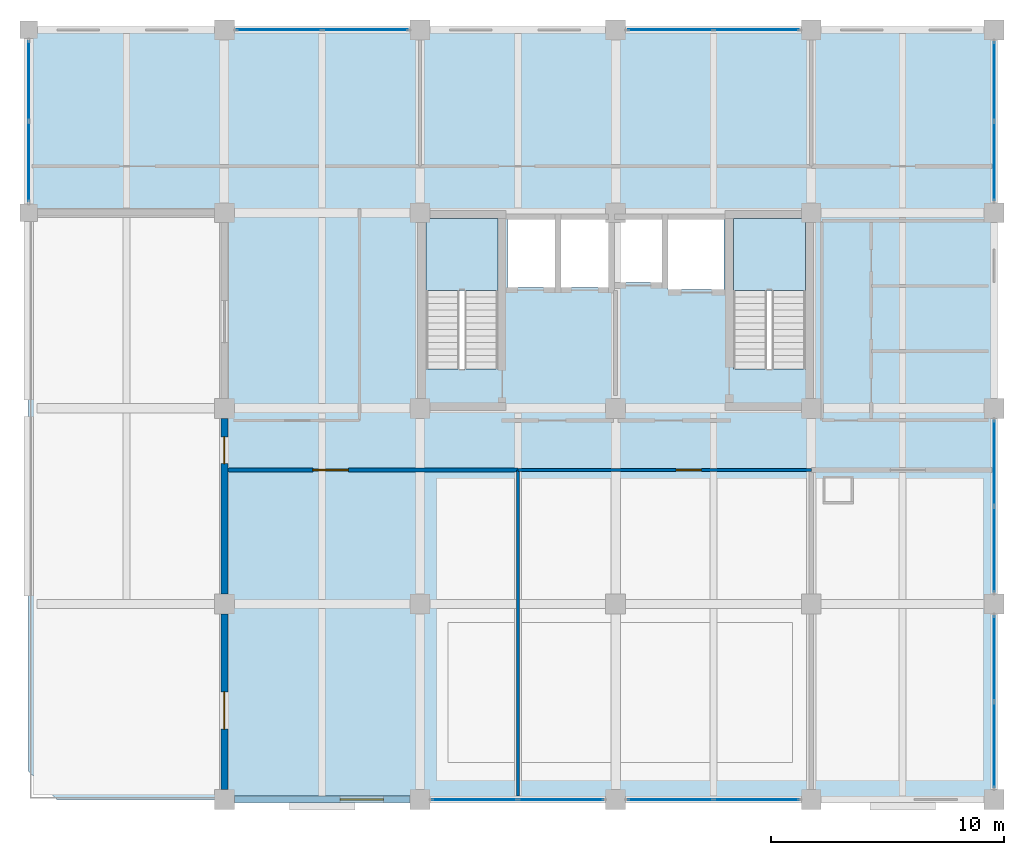
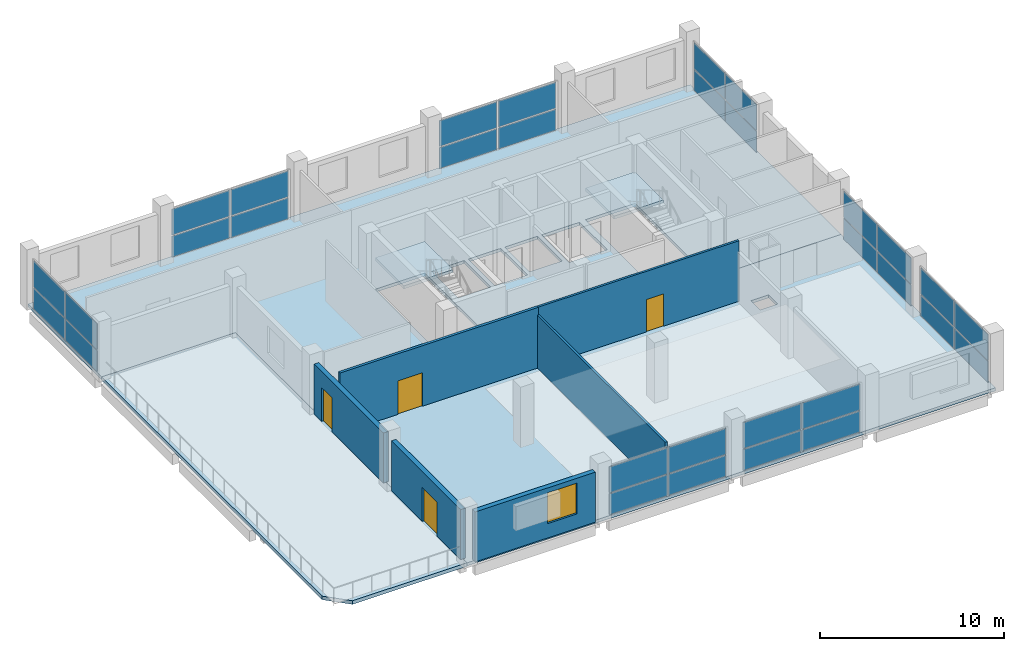
# One storey, part 6 of 10: 32 plates, 6 walls, 5 slabs, 4 doors, 1 window, 5 openings, 10 elements without a shape of their own.
"""IFC4 building model written with IfcOpenShell, lengths in metres."""

from ifc_helpers import new_model, si_unit, direction, frame, frame_2d, origin, origin_2d, place, context, subcontext, project, spatial, polyline, rectangle, outline, extrude, material, layer, layer_set, type_object, element, fill, aggregate, save


model = new_model("IFC4")

# Units and contexts
model_context = context("Model", 3, precision=1e-05, world=origin(), true_north=direction((0.0, 1.0)))
body_context = subcontext(model_context, "Body", "Model", "MODEL_VIEW")
ifc_project = project(units=[si_unit("LENGTHUNIT", "METRE"), si_unit("AREAUNIT", "SQUARE_METRE"), si_unit("VOLUMEUNIT", "CUBIC_METRE"), si_unit("PLANEANGLEUNIT", "RADIAN"), si_unit("MASSUNIT", "GRAM", prefix="KILO")], contexts=[model_context])

# Site, building, storey
site_placement = place(None, origin())
site = spatial("IfcSite", under=ifc_project, at=site_placement, CompositionType="ELEMENT")
building_placement = place(site_placement, origin())
building = spatial("IfcBuilding", under=site, at=building_placement, Name="Brinegate Botanical Conservatory", CompositionType="ELEMENT")
storey_placement = place(building_placement, frame((0.0, 0.0, 27.60009765625)))
storey = spatial("IfcBuildingStorey", under=building, at=storey_placement, Name="L07", CompositionType="ELEMENT", Elevation=27.60009765625)

# Curtain wall, plates
ifc_material_1 = material(Name="Thermally broken anodised aluminium AW-6063-T6", Category="aluminium")
curtain_wall_type = type_object("IfcCurtainWallType", Name="CW_CW-TW1", PredefinedType="USERDEFINED", material=ifc_material_1)
curtain_wall_1_placement = place(storey_placement, origin())
curtain_wall_1 = element("IfcCurtainWall", 1, at=curtain_wall_1_placement, inside=storey, type_object=curtain_wall_type, Name="Research lab north curtain wall L07.2", ObjectType="FACTORY CURTAIN WALL", PredefinedType="USERDEFINED")
ifc_material_2 = material(Name="Double-silver Low-E laminated safety glass", Category="glass")
ifc_layer_1 = layer(ifc_material_2, 0.035888671875, Name="Double-silver Low-E laminated safety glass", Category="glass")
ifc_layer_set_1 = layer_set([ifc_layer_1], Name="Double-silver Low-E laminated safety glass")
plate_type = type_object("IfcPlateType", Name="Plate_PN-36", PredefinedType="CURTAIN_PANEL", material=ifc_layer_set_1)
plate_1_placement = place(storey_placement, frame((132.75, 111.449951171875, 0.06982421875), z_axis=(0.0, 0.0, 1.0), x_axis=(1.0, 0.0, 0.0)))
plate_1 = element("IfcPlate", 2, at=plate_1_placement, type_object=plate_type, Name="CW-TW1 panel 1.1", PredefinedType="CURTAIN_PANEL", context=body_context, shape_type="SweptSolid", body=[
    extrude(rectangle(XDim=3.6298828125, YDim=0.035888671875, at=origin_2d()), origin(), (0.0, 0.0, 1.0), 1.388916015625),
])
plate_2_placement = place(storey_placement, frame((132.75, 111.449951171875, 1.52880859375), z_axis=(0.0, 0.0, 1.0), x_axis=(1.0, 0.0, 0.0)))
plate_2 = element("IfcPlate", 3, at=plate_2_placement, type_object=plate_type, Name="CW-TW1 panel 1.2", PredefinedType="CURTAIN_PANEL", context=body_context, shape_type="SweptSolid", body=[
    extrude(rectangle(XDim=3.6298828125, YDim=0.035888671875, at=origin_2d()), origin(), (0.0, 0.0, 1.0), 1.720947265625),
])
plate_3_placement = place(storey_placement, frame((136.449951171875, 111.449951171875, 0.06982421875), z_axis=(0.0, 0.0, 1.0), x_axis=(1.0, 0.0, 0.0)))
plate_3 = element("IfcPlate", 4, at=plate_3_placement, type_object=plate_type, Name="CW-TW1 panel 2.1", PredefinedType="CURTAIN_PANEL", context=body_context, shape_type="SweptSolid", body=[
    extrude(rectangle(XDim=3.6298828125, YDim=0.035888671875, at=origin_2d()), origin(), (0.0, 0.0, 1.0), 1.388916015625),
])
plate_4_placement = place(storey_placement, frame((136.449951171875, 111.449951171875, 1.52880859375), z_axis=(0.0, 0.0, 1.0), x_axis=(1.0, 0.0, 0.0)))
plate_4 = element("IfcPlate", 5, at=plate_4_placement, type_object=plate_type, Name="CW-TW1 panel 2.2", PredefinedType="CURTAIN_PANEL", context=body_context, shape_type="SweptSolid", body=[
    extrude(rectangle(XDim=3.6298828125, YDim=0.035888671875, at=origin_2d()), origin(), (0.0, 0.0, 1.0), 1.720947265625),
])
aggregate(curtain_wall_1, [plate_1, plate_2, plate_3, plate_4])

curtain_wall_2_placement = place(storey_placement, origin())
curtain_wall_2 = element("IfcCurtainWall", 6, at=curtain_wall_2_placement, inside=storey, type_object=curtain_wall_type, Name="Research lab north curtain wall L07.4", ObjectType="FACTORY CURTAIN WALL", PredefinedType="USERDEFINED")
plate_5_placement = place(storey_placement, frame((149.550048828125, 111.449951171875, 0.06982421875), z_axis=(0.0, 0.0, 1.0), x_axis=(1.0, 0.0, 0.0)))
plate_5 = element("IfcPlate", 7, at=plate_5_placement, type_object=plate_type, Name="CW-TW1 panel 1.1", PredefinedType="CURTAIN_PANEL", context=body_context, shape_type="SweptSolid", body=[
    extrude(rectangle(XDim=3.6298828125, YDim=0.035888671875, at=origin_2d()), origin(), (0.0, 0.0, 1.0), 1.388916015625),
])
plate_6_placement = place(storey_placement, frame((149.550048828125, 111.449951171875, 1.52880859375), z_axis=(0.0, 0.0, 1.0), x_axis=(1.0, 0.0, 0.0)))
plate_6 = element("IfcPlate", 8, at=plate_6_placement, type_object=plate_type, Name="CW-TW1 panel 1.2", PredefinedType="CURTAIN_PANEL", context=body_context, shape_type="SweptSolid", body=[
    extrude(rectangle(XDim=3.6298828125, YDim=0.035888671875, at=origin_2d()), origin(), (0.0, 0.0, 1.0), 1.720947265625),
])
plate_7_placement = place(storey_placement, frame((153.25, 111.449951171875, 0.06982421875), z_axis=(0.0, 0.0, 1.0), x_axis=(1.0, 0.0, 0.0)))
plate_7 = element("IfcPlate", 9, at=plate_7_placement, type_object=plate_type, Name="CW-TW1 panel 2.1", PredefinedType="CURTAIN_PANEL", context=body_context, shape_type="SweptSolid", body=[
    extrude(rectangle(XDim=3.6298828125, YDim=0.035888671875, at=origin_2d()), origin(), (0.0, 0.0, 1.0), 1.388916015625),
])
plate_8_placement = place(storey_placement, frame((153.25, 111.449951171875, 1.52880859375), z_axis=(0.0, 0.0, 1.0), x_axis=(1.0, 0.0, 0.0)))
plate_8 = element("IfcPlate", 10, at=plate_8_placement, type_object=plate_type, Name="CW-TW1 panel 2.2", PredefinedType="CURTAIN_PANEL", context=body_context, shape_type="SweptSolid", body=[
    extrude(rectangle(XDim=3.6298828125, YDim=0.035888671875, at=origin_2d()), origin(), (0.0, 0.0, 1.0), 1.720947265625),
])
aggregate(curtain_wall_2, [plate_5, plate_6, plate_7, plate_8])

curtain_wall_3_placement = place(storey_placement, origin())
curtain_wall_3 = element("IfcCurtainWall", 11, at=curtain_wall_3_placement, inside=storey, type_object=curtain_wall_type, Name="Tower south curtain wall L07.2", ObjectType="FACTORY CURTAIN WALL", PredefinedType="USERDEFINED")
plate_9_placement = place(storey_placement, frame((144.85009765625, 78.39990234375, 0.06982421875), z_axis=(0.0, 0.0, 1.0), x_axis=(-1.0, 0.0, 0.0)))
plate_9 = element("IfcPlate", 12, at=plate_9_placement, type_object=plate_type, Name="CW-TW1 panel 1.1", PredefinedType="CURTAIN_PANEL", context=body_context, shape_type="SweptSolid", body=[
    extrude(rectangle(XDim=3.6298828125, YDim=0.035888671875, at=origin_2d()), origin(), (0.0, 0.0, 1.0), 1.388916015625),
])
plate_10_placement = place(storey_placement, frame((144.85009765625, 78.39990234375, 1.52880859375), z_axis=(0.0, 0.0, 1.0), x_axis=(-1.0, 0.0, 0.0)))
plate_10 = element("IfcPlate", 13, at=plate_10_placement, type_object=plate_type, Name="CW-TW1 panel 1.2", PredefinedType="CURTAIN_PANEL", context=body_context, shape_type="SweptSolid", body=[
    extrude(rectangle(XDim=3.6298828125, YDim=0.035888671875, at=origin_2d()), origin(), (0.0, 0.0, 1.0), 1.720947265625),
])
plate_11_placement = place(storey_placement, frame((141.14990234375, 78.39990234375, 0.06982421875), z_axis=(0.0, 0.0, 1.0), x_axis=(-1.0, 0.0, 0.0)))
plate_11 = element("IfcPlate", 14, at=plate_11_placement, type_object=plate_type, Name="CW-TW1 panel 2.1", PredefinedType="CURTAIN_PANEL", context=body_context, shape_type="SweptSolid", body=[
    extrude(rectangle(XDim=3.6298828125, YDim=0.035888671875, at=origin_2d()), origin(), (0.0, 0.0, 1.0), 1.388916015625),
])
plate_12_placement = place(storey_placement, frame((141.14990234375, 78.39990234375, 1.52880859375), z_axis=(0.0, 0.0, 1.0), x_axis=(-1.0, 0.0, 0.0)))
plate_12 = element("IfcPlate", 15, at=plate_12_placement, type_object=plate_type, Name="CW-TW1 panel 2.2", PredefinedType="CURTAIN_PANEL", context=body_context, shape_type="SweptSolid", body=[
    extrude(rectangle(XDim=3.6298828125, YDim=0.035888671875, at=origin_2d()), origin(), (0.0, 0.0, 1.0), 1.720947265625),
])
aggregate(curtain_wall_3, [plate_9, plate_10, plate_11, plate_12])

curtain_wall_4_placement = place(storey_placement, origin())
curtain_wall_4 = element("IfcCurtainWall", 16, at=curtain_wall_4_placement, inside=storey, type_object=curtain_wall_type, Name="Tower south curtain wall L07.3", ObjectType="FACTORY CURTAIN WALL", PredefinedType="USERDEFINED")
plate_13_placement = place(storey_placement, frame((153.25, 78.39990234375, 0.06982421875), z_axis=(0.0, 0.0, 1.0), x_axis=(-1.0, 0.0, 0.0)))
plate_13 = element("IfcPlate", 17, at=plate_13_placement, type_object=plate_type, Name="CW-TW1 panel 1.1", PredefinedType="CURTAIN_PANEL", context=body_context, shape_type="SweptSolid", body=[
    extrude(rectangle(XDim=3.6298828125, YDim=0.035888671875, at=origin_2d()), origin(), (0.0, 0.0, 1.0), 1.388916015625),
])
plate_14_placement = place(storey_placement, frame((153.25, 78.39990234375, 1.52880859375), z_axis=(0.0, 0.0, 1.0), x_axis=(-1.0, 0.0, 0.0)))
plate_14 = element("IfcPlate", 18, at=plate_14_placement, type_object=plate_type, Name="CW-TW1 panel 1.2", PredefinedType="CURTAIN_PANEL", context=body_context, shape_type="SweptSolid", body=[
    extrude(rectangle(XDim=3.6298828125, YDim=0.035888671875, at=origin_2d()), origin(), (0.0, 0.0, 1.0), 1.720947265625),
])
plate_15_placement = place(storey_placement, frame((149.550048828125, 78.39990234375, 0.06982421875), z_axis=(0.0, 0.0, 1.0), x_axis=(-1.0, 0.0, 0.0)))
plate_15 = element("IfcPlate", 19, at=plate_15_placement, type_object=plate_type, Name="CW-TW1 panel 2.1", PredefinedType="CURTAIN_PANEL", context=body_context, shape_type="SweptSolid", body=[
    extrude(rectangle(XDim=3.6298828125, YDim=0.035888671875, at=origin_2d()), origin(), (0.0, 0.0, 1.0), 1.388916015625),
])
plate_16_placement = place(storey_placement, frame((149.550048828125, 78.39990234375, 1.52880859375), z_axis=(0.0, 0.0, 1.0), x_axis=(-1.0, 0.0, 0.0)))
plate_16 = element("IfcPlate", 20, at=plate_16_placement, type_object=plate_type, Name="CW-TW1 panel 2.2", PredefinedType="CURTAIN_PANEL", context=body_context, shape_type="SweptSolid", body=[
    extrude(rectangle(XDim=3.6298828125, YDim=0.035888671875, at=origin_2d()), origin(), (0.0, 0.0, 1.0), 1.720947265625),
])
aggregate(curtain_wall_4, [plate_13, plate_14, plate_15, plate_16])

curtain_wall_5_placement = place(storey_placement, origin())
curtain_wall_5 = element("IfcCurtainWall", 21, at=curtain_wall_5_placement, inside=storey, type_object=curtain_wall_type, Name="Tower east curtain wall L07.1", ObjectType="FACTORY CURTAIN WALL", PredefinedType="USERDEFINED")
plate_17_placement = place(storey_placement, frame((163.449951171875, 84.449951171875, 0.06982421875), z_axis=(0.0, 0.0, 1.0), x_axis=(0.0, -1.0, 0.0)))
plate_17 = element("IfcPlate", 22, at=plate_17_placement, type_object=plate_type, Name="CW-TW1 panel 1.1", PredefinedType="CURTAIN_PANEL", context=body_context, shape_type="SweptSolid", body=[
    extrude(rectangle(XDim=3.6298828125, YDim=0.035888671875, at=origin_2d()), origin(), (0.0, 0.0, 1.0), 1.388916015625),
])
plate_18_placement = place(storey_placement, frame((163.449951171875, 84.449951171875, 1.52880859375), z_axis=(0.0, 0.0, 1.0), x_axis=(0.0, -1.0, 0.0)))
plate_18 = element("IfcPlate", 23, at=plate_18_placement, type_object=plate_type, Name="CW-TW1 panel 1.2", PredefinedType="CURTAIN_PANEL", context=body_context, shape_type="SweptSolid", body=[
    extrude(rectangle(XDim=3.6298828125, YDim=0.035888671875, at=origin_2d()), origin(), (0.0, 0.0, 1.0), 1.720947265625),
])
plate_19_placement = place(storey_placement, frame((163.449951171875, 80.75, 0.06982421875), z_axis=(0.0, 0.0, 1.0), x_axis=(0.0, -1.0, 0.0)))
plate_19 = element("IfcPlate", 24, at=plate_19_placement, type_object=plate_type, Name="CW-TW1 panel 2.1", PredefinedType="CURTAIN_PANEL", context=body_context, shape_type="SweptSolid", body=[
    extrude(rectangle(XDim=3.6298828125, YDim=0.035888671875, at=origin_2d()), origin(), (0.0, 0.0, 1.0), 1.388916015625),
])
plate_20_placement = place(storey_placement, frame((163.449951171875, 80.75, 1.52880859375), z_axis=(0.0, 0.0, 1.0), x_axis=(0.0, -1.0, 0.0)))
plate_20 = element("IfcPlate", 25, at=plate_20_placement, type_object=plate_type, Name="CW-TW1 panel 2.2", PredefinedType="CURTAIN_PANEL", context=body_context, shape_type="SweptSolid", body=[
    extrude(rectangle(XDim=3.6298828125, YDim=0.035888671875, at=origin_2d()), origin(), (0.0, 0.0, 1.0), 1.720947265625),
])
aggregate(curtain_wall_5, [plate_17, plate_18, plate_19, plate_20])

curtain_wall_6_placement = place(storey_placement, origin())
curtain_wall_6 = element("IfcCurtainWall", 26, at=curtain_wall_6_placement, inside=storey, type_object=curtain_wall_type, Name="Tower east curtain wall L07.2", ObjectType="FACTORY CURTAIN WALL", PredefinedType="USERDEFINED")
plate_21_placement = place(storey_placement, frame((163.449951171875, 92.85009765625, 0.06982421875), z_axis=(0.0, 0.0, 1.0), x_axis=(0.0, -1.0, 0.0)))
plate_21 = element("IfcPlate", 27, at=plate_21_placement, type_object=plate_type, Name="CW-TW1 panel 1.1", PredefinedType="CURTAIN_PANEL", context=body_context, shape_type="SweptSolid", body=[
    extrude(rectangle(XDim=3.6298828125, YDim=0.035888671875, at=origin_2d()), origin(), (0.0, 0.0, 1.0), 1.388916015625),
])
plate_22_placement = place(storey_placement, frame((163.449951171875, 92.85009765625, 1.52880859375), z_axis=(0.0, 0.0, 1.0), x_axis=(0.0, -1.0, 0.0)))
plate_22 = element("IfcPlate", 28, at=plate_22_placement, type_object=plate_type, Name="CW-TW1 panel 1.2", PredefinedType="CURTAIN_PANEL", context=body_context, shape_type="SweptSolid", body=[
    extrude(rectangle(XDim=3.6298828125, YDim=0.035888671875, at=origin_2d()), origin(), (0.0, 0.0, 1.0), 1.720947265625),
])
plate_23_placement = place(storey_placement, frame((163.449951171875, 89.14990234375, 0.06982421875), z_axis=(0.0, 0.0, 1.0), x_axis=(0.0, -1.0, 0.0)))
plate_23 = element("IfcPlate", 29, at=plate_23_placement, type_object=plate_type, Name="CW-TW1 panel 2.1", PredefinedType="CURTAIN_PANEL", context=body_context, shape_type="SweptSolid", body=[
    extrude(rectangle(XDim=3.6298828125, YDim=0.035888671875, at=origin_2d()), origin(), (0.0, 0.0, 1.0), 1.388916015625),
])
plate_24_placement = place(storey_placement, frame((163.449951171875, 89.14990234375, 1.52880859375), z_axis=(0.0, 0.0, 1.0), x_axis=(0.0, -1.0, 0.0)))
plate_24 = element("IfcPlate", 30, at=plate_24_placement, type_object=plate_type, Name="CW-TW1 panel 2.2", PredefinedType="CURTAIN_PANEL", context=body_context, shape_type="SweptSolid", body=[
    extrude(rectangle(XDim=3.6298828125, YDim=0.035888671875, at=origin_2d()), origin(), (0.0, 0.0, 1.0), 1.720947265625),
])
aggregate(curtain_wall_6, [plate_21, plate_22, plate_23, plate_24])

curtain_wall_7_placement = place(storey_placement, origin())
curtain_wall_7 = element("IfcCurtainWall", 31, at=curtain_wall_7_placement, inside=storey, type_object=curtain_wall_type, Name="Tower east curtain wall L07.4", ObjectType="FACTORY CURTAIN WALL", PredefinedType="USERDEFINED")
plate_25_placement = place(storey_placement, frame((163.449951171875, 109.237548828125, 0.06982421875), z_axis=(0.0, 0.0, 1.0), x_axis=(0.0, -1.0, 0.0)))
plate_25 = element("IfcPlate", 32, at=plate_25_placement, type_object=plate_type, Name="CW-TW1 panel 1.1", PredefinedType="CURTAIN_PANEL", context=body_context, shape_type="SweptSolid", body=[
    extrude(rectangle(XDim=3.35498046875, YDim=0.035888671875, at=origin_2d()), origin(), (0.0, 0.0, 1.0), 1.388916015625),
])
plate_26_placement = place(storey_placement, frame((163.449951171875, 109.237548828125, 1.52880859375), z_axis=(0.0, 0.0, 1.0), x_axis=(0.0, -1.0, 0.0)))
plate_26 = element("IfcPlate", 33, at=plate_26_placement, type_object=plate_type, Name="CW-TW1 panel 1.2", PredefinedType="CURTAIN_PANEL", context=body_context, shape_type="SweptSolid", body=[
    extrude(rectangle(XDim=3.35498046875, YDim=0.035888671875, at=origin_2d()), origin(), (0.0, 0.0, 1.0), 1.720947265625),
])
plate_27_placement = place(storey_placement, frame((163.449951171875, 105.8125, 0.06982421875), z_axis=(0.0, 0.0, 1.0), x_axis=(0.0, -1.0, 0.0)))
plate_27 = element("IfcPlate", 34, at=plate_27_placement, type_object=plate_type, Name="CW-TW1 panel 2.1", PredefinedType="CURTAIN_PANEL", context=body_context, shape_type="SweptSolid", body=[
    extrude(rectangle(XDim=3.35498046875, YDim=0.035888671875, at=origin_2d()), origin(), (0.0, 0.0, 1.0), 1.388916015625),
])
plate_28_placement = place(storey_placement, frame((163.449951171875, 105.8125, 1.52880859375), z_axis=(0.0, 0.0, 1.0), x_axis=(0.0, -1.0, 0.0)))
plate_28 = element("IfcPlate", 35, at=plate_28_placement, type_object=plate_type, Name="CW-TW1 panel 2.2", PredefinedType="CURTAIN_PANEL", context=body_context, shape_type="SweptSolid", body=[
    extrude(rectangle(XDim=3.35498046875, YDim=0.035888671875, at=origin_2d()), origin(), (0.0, 0.0, 1.0), 1.720947265625),
])
aggregate(curtain_wall_7, [plate_25, plate_26, plate_27, plate_28])

curtain_wall_8_placement = place(storey_placement, origin())
curtain_wall_8 = element("IfcCurtainWall", 36, at=curtain_wall_8_placement, inside=storey, type_object=curtain_wall_type, Name="Tower north-west curtain wall L07", ObjectType="FACTORY CURTAIN WALL", PredefinedType="USERDEFINED")
plate_29_placement = place(storey_placement, frame((122.0, 105.78759765625, 0.06982421875), z_axis=(0.0, 0.0, 1.0), x_axis=(0.0, 1.0, 0.0)))
plate_29 = element("IfcPlate", 37, at=plate_29_placement, type_object=plate_type, Name="CW-TW1 panel 1.1", PredefinedType="CURTAIN_PANEL", context=body_context, shape_type="SweptSolid", body=[
    extrude(rectangle(XDim=3.405029296875, YDim=0.035888671875, at=origin_2d()), origin(), (0.0, 0.0, 1.0), 1.388916015625),
])
plate_30_placement = place(storey_placement, frame((122.0, 105.78759765625, 1.52880859375), z_axis=(0.0, 0.0, 1.0), x_axis=(0.0, 1.0, 0.0)))
plate_30 = element("IfcPlate", 38, at=plate_30_placement, type_object=plate_type, Name="CW-TW1 panel 1.2", PredefinedType="CURTAIN_PANEL", context=body_context, shape_type="SweptSolid", body=[
    extrude(rectangle(XDim=3.405029296875, YDim=0.035888671875, at=origin_2d()), origin(), (0.0, 0.0, 1.0), 1.720947265625),
])
plate_31_placement = place(storey_placement, frame((122.0, 109.262451171875, 0.06982421875), z_axis=(0.0, 0.0, 1.0), x_axis=(0.0, 1.0, 0.0)))
plate_31 = element("IfcPlate", 39, at=plate_31_placement, type_object=plate_type, Name="CW-TW1 panel 2.1", PredefinedType="CURTAIN_PANEL", context=body_context, shape_type="SweptSolid", body=[
    extrude(rectangle(XDim=3.405029296875, YDim=0.035888671875, at=origin_2d()), origin(), (0.0, 0.0, 1.0), 1.388916015625),
])
plate_32_placement = place(storey_placement, frame((122.0, 109.262451171875, 1.52880859375), z_axis=(0.0, 0.0, 1.0), x_axis=(0.0, 1.0, 0.0)))
plate_32 = element("IfcPlate", 40, at=plate_32_placement, type_object=plate_type, Name="CW-TW1 panel 2.2", PredefinedType="CURTAIN_PANEL", context=body_context, shape_type="SweptSolid", body=[
    extrude(rectangle(XDim=3.405029296875, YDim=0.035888671875, at=origin_2d()), origin(), (0.0, 0.0, 1.0), 1.720947265625),
])
aggregate(curtain_wall_8, [plate_29, plate_30, plate_31, plate_32])

# Slabs
ifc_material_3 = material(Name="Concrete C40/50", Category="concrete")
ifc_layer_2 = layer(ifc_material_3, 0.199951171875, Name="Concrete C40/50", Category="concrete")
ifc_layer_set_2 = layer_set([ifc_layer_2], Name="Concrete C40/50")
slab_type_1 = type_object("IfcSlabType", Name="Slab_SL-FL200", PredefinedType="FLOOR", material=ifc_layer_set_2)
slab_1_placement = place(storey_placement, frame((0.0, 0.0, -0.2001953125)))
element("IfcSlab", 41, at=slab_1_placement, inside=storey, type_object=slab_type_1, Name="Research Tower L07 north structural floor slab", PredefinedType="FLOOR", context=body_context, shape_type="SweptSolid", body=[
    extrude(outline(polyline([(130.39990234375, 103.60009765625), (122.0, 103.60009765625), (122.0, 111.60009765625), (163.60009765625, 111.60009765625), (163.60009765625, 95.199951171875), (130.39990234375, 95.199951171875), (130.39990234375, 103.60009765625)]), holes=[polyline([(142.14990234375, 96.89990234375), (142.14990234375, 103.35009765625), (139.050048828125, 103.35009765625), (139.050048828125, 96.89990234375), (142.14990234375, 96.89990234375)]), polyline([(155.35009765625, 96.89990234375), (155.35009765625, 103.35009765625), (152.25, 103.35009765625), (152.25, 96.89990234375), (155.35009765625, 96.89990234375)]), polyline([(142.550048828125, 100.39990234375), (144.60009765625, 100.39990234375), (144.60009765625, 103.300048828125), (142.550048828125, 103.300048828125), (142.550048828125, 100.39990234375)]), polyline([(144.85009765625, 100.39990234375), (146.89990234375, 100.39990234375), (146.89990234375, 103.300048828125), (144.85009765625, 103.300048828125), (144.85009765625, 100.39990234375)]), polyline([(147.14990234375, 100.60009765625), (149.199951171875, 100.60009765625), (149.199951171875, 103.300048828125), (147.14990234375, 103.300048828125), (147.14990234375, 100.60009765625)]), polyline([(149.449951171875, 100.300048828125), (151.85009765625, 100.300048828125), (151.85009765625, 103.300048828125), (149.449951171875, 103.300048828125), (149.449951171875, 100.300048828125)])]), origin(), (0.0, 0.0, 1.0), 0.2001953125),
])
slab_2_placement = place(storey_placement, frame((0.0, 0.0, -0.2001953125)))
element("IfcSlab", 42, at=slab_2_placement, inside=storey, type_object=slab_type_1, Name="Research Tower L07 south structural floor slab", PredefinedType="FLOOR", context=body_context, shape_type="SweptSolid", body=[
    extrude(outline(polyline([(163.60009765625, 78.39990234375), (130.39990234375, 78.39990234375), (130.39990234375, 95.199951171875), (163.60009765625, 95.199951171875), (163.60009765625, 78.39990234375)]), holes=[polyline([(156.199951171875, 91.199951171875), (157.300048828125, 91.199951171875), (157.300048828125, 92.199951171875), (156.199951171875, 92.199951171875), (156.199951171875, 91.199951171875)])]), origin(), (0.0, 0.0, 1.0), 0.2001953125),
])

# Stair, slab
stair_type = type_object("IfcStairType", Name="Stair_HT-4200", PredefinedType="HALF_TURN_STAIR", material=ifc_material_3)
stair_1_placement = place(storey_placement, origin())
stair_1 = element("IfcStair", 43, at=stair_1_placement, inside=storey, type_object=stair_type, Name="L07 Tower West Smoke-Proof Stair ST1", PredefinedType="HALF_TURN_STAIR")
ifc_layer_3 = layer(ifc_material_3, 0.199951171875, Name="Concrete C40/50", Category="concrete")
ifc_layer_set_3 = layer_set([ifc_layer_3], Name="Concrete C40/50")
slab_type_2 = type_object("IfcSlabType", Name="Slab_SL-LD200", PredefinedType="LANDING", material=ifc_layer_set_3)
slab_3_placement = place(storey_placement, frame((0.0, 0.0, 1.89990234375)))
slab_3 = element("IfcSlab", 44, at=slab_3_placement, type_object=slab_type_2, Name="ST1 landing 1", PredefinedType="LANDING", context=body_context, shape_type="SweptSolid", body=[
    extrude(outline(polyline([(142.14990234375, 100.260009765625), (142.14990234375, 103.35009765625), (139.050048828125, 103.35009765625), (139.050048828125, 100.260009765625), (142.14990234375, 100.260009765625)])), origin(), (0.0, 0.0, 1.0), 0.199951171875),
])
aggregate(stair_1, [slab_3])

stair_2_placement = place(storey_placement, origin())
stair_2 = element("IfcStair", 45, at=stair_2_placement, inside=storey, type_object=stair_type, Name="L07 Tower East Smoke-Proof Stair ST2", PredefinedType="HALF_TURN_STAIR")
slab_4_placement = place(storey_placement, frame((0.0, 0.0, 1.89990234375)))
slab_4 = element("IfcSlab", 46, at=slab_4_placement, type_object=slab_type_2, Name="ST2 landing 1", PredefinedType="LANDING", context=body_context, shape_type="SweptSolid", body=[
    extrude(outline(polyline([(155.35009765625, 100.260009765625), (155.35009765625, 103.35009765625), (152.25, 103.35009765625), (152.25, 100.260009765625), (155.35009765625, 100.260009765625)])), origin(), (0.0, 0.0, 1.0), 0.199951171875),
])
aggregate(stair_2, [slab_4])

# Slab
ifc_layer_4 = layer(ifc_material_3, 0.238037109375, Name="Concrete C40/50", Category="concrete")
ifc_layer_set_4 = layer_set([ifc_layer_4], Name="Concrete C40/50")
slab_type_3 = type_object("IfcSlabType", Name="Slab_SL-TR210", PredefinedType="FLOOR", material=ifc_layer_set_4)
slab_5_placement = place(storey_placement, frame((0.0, 0.0, -0.238037109375)))
element("IfcSlab", 47, at=slab_5_placement, inside=storey, type_object=slab_type_3, Name="Botanical Setback Terrace L07 slab", PredefinedType="FLOOR", context=body_context, shape_type="SweptSolid", body=[
    extrude(outline(polyline([(123.199951171875, 78.39990234375), (130.39990234375, 78.39990234375), (130.39990234375, 103.60009765625), (122.0, 103.60009765625), (122.0, 79.60009765625), (123.199951171875, 78.39990234375)])), origin(), (0.0, 0.0, 1.0), 0.238037109375),
])

# Wall, opening, window
ifc_material_4 = material(Name="Insulated Minnan red clay brick masonry", Category="masonry")
ifc_layer_5 = layer(ifc_material_4, 0.300048828125, Name="Insulated Minnan red clay brick masonry", Category="masonry")
ifc_layer_set_5 = layer_set([ifc_layer_5], Name="Insulated Minnan red clay brick masonry")
wall_type_1 = type_object("IfcWallType", Name="Wall_EW-300B", PredefinedType="STANDARD", material=ifc_layer_set_5)
wall_1_placement = place(storey_placement, frame((138.375, 78.39990234375, 0.0), z_axis=(0.0, 0.0, 1.0), x_axis=(-1.0, 0.0, 0.0)))
wall_1 = element("IfcWall", 48, at=wall_1_placement, inside=storey, type_object=wall_type_1, Name="Tower south facade wall L07.1", PredefinedType="STANDARD", context=body_context, shape_type="SweptSolid", body=[
    extrude(rectangle(XDim=7.550048828125, YDim=0.300048828125, at=frame_2d((3.77490234375, 0.0))), origin(), (0.0, 0.0, 1.0), 3.31982421875),
])
opening_1_placement = place(wall_1_placement, frame((1.14990234375, 0.0, 0.949951171875)))
opening_1 = element("IfcOpeningElement", 49, at=opening_1_placement, cuts=wall_1, Name="Opening WN-22", PredefinedType="OPENING", context=body_context, shape_type="SweptSolid", body=[
    extrude(rectangle(XDim=1.85009765625, YDim=2.050048828125, at=frame_2d((0.925048828125, 1.02490234375))), frame((0.0, 0.159912109375, 0.0), z_axis=(0.0, -1.0, 0.0), x_axis=(1.0, 0.0, 0.0)), (0.0, 0.0, 1.0), 0.320068359375),
])
ifc_material_5 = material(Name="Thermally broken aluminium-framed Low-E glass", Category="aluminium")
window_type = type_object("IfcWindowType", Name="Win_WN-22", PartitioningType="DOUBLE_PANEL_VERTICAL", PredefinedType="WINDOW", material=ifc_material_5)
window_placement = place(opening_1_placement, origin())
window = element("IfcWindow", 50, at=window_placement, inside=storey, type_object=window_type, Name="Tower south window L07.1", OverallHeight=2.050048828125, OverallWidth=1.85009765625, PartitioningType="DOUBLE_PANEL_VERTICAL", PredefinedType="WINDOW", context=body_context, shape_type="SweptSolid", body=[
    extrude(rectangle(XDim=1.85009765625, YDim=2.050048828125, at=frame_2d((0.925048828125, 1.02490234375))), frame((0.0, 0.030029296875, 0.0), z_axis=(0.0, -1.0, 0.0), x_axis=(1.0, 0.0, 0.0)), (0.0, 0.0, 1.0), 0.06005859375),
])
fill(opening_1, window)

# Wall, opening, door
wall_2_placement = place(storey_placement, frame((130.39990234375, 78.824951171875, 0.0), z_axis=(0.0, 0.0, 1.0), x_axis=(0.0, 1.0, 0.0)))
wall_2 = element("IfcWall", 51, at=wall_2_placement, inside=storey, type_object=wall_type_1, Name="Tower west wall L07.S1", PredefinedType="STANDARD", context=body_context, shape_type="SweptSolid", body=[
    extrude(rectangle(XDim=7.550048828125, YDim=0.300048828125, at=frame_2d((3.77490234375, 0.0))), origin(), (0.0, 0.0, 1.0), 3.31982421875),
])
opening_2_placement = place(wall_2_placement, frame((2.60009765625, 0.0, 0.0)))
opening_2 = element("IfcOpeningElement", 52, at=opening_2_placement, cuts=wall_2, Name="Opening TD-01", PredefinedType="OPENING", context=body_context, shape_type="SweptSolid", body=[
    extrude(rectangle(XDim=1.60009765625, YDim=2.25, at=frame_2d((0.800048828125, 1.125))), frame((0.0, 0.159912109375, 0.0), z_axis=(0.0, -1.0, 0.0), x_axis=(1.0, 0.0, 0.0)), (0.0, 0.0, 1.0), 0.320068359375),
])
ifc_material_6 = material(Name="Anodised aluminium and laminated safety glass", Category="aluminium")
door_type_1 = type_object("IfcDoorType", Name="Door_TD-01", OperationType="NOTDEFINED", PredefinedType="DOOR", material=ifc_material_6)
door_1_placement = place(opening_2_placement, origin())
door_1 = element("IfcDoor", 53, at=door_1_placement, inside=storey, type_object=door_type_1, Name="DR-TERR-L07-1", OperationType="SINGLE_SWING_LEFT", OverallHeight=2.25, OverallWidth=1.60009765625, PredefinedType="DOOR", context=body_context, shape_type="SweptSolid", body=[
    extrude(rectangle(XDim=1.60009765625, YDim=2.25, at=frame_2d((0.800048828125, 1.125))), frame((0.0, 0.02490234375, 0.0), z_axis=(0.0, -1.0, 0.0), x_axis=(1.0, 0.0, 0.0)), (0.0, 0.0, 1.0), 0.050048828125),
])
fill(opening_2, door_1)

wall_3_placement = place(storey_placement, frame((130.39990234375, 87.22509765625, 0.0), z_axis=(0.0, 0.0, 1.0), x_axis=(0.0, 1.0, 0.0)))
wall_3 = element("IfcWall", 54, at=wall_3_placement, inside=storey, type_object=wall_type_1, Name="Tower west wall L07.S2", PredefinedType="STANDARD", context=body_context, shape_type="SweptSolid", body=[
    extrude(rectangle(XDim=7.5498046875, YDim=0.300048828125, at=frame_2d((3.77490234375, 0.0))), origin(), (0.0, 0.0, 1.0), 3.31982421875),
])
opening_3_placement = place(wall_3_placement, frame((5.60009765625, 0.0, 0.0)))
opening_3 = element("IfcOpeningElement", 55, at=opening_3_placement, cuts=wall_3, Name="Opening TD-02", PredefinedType="OPENING", context=body_context, shape_type="SweptSolid", body=[
    extrude(rectangle(XDim=1.14990234375, YDim=2.25, at=frame_2d((0.574951171875, 1.125))), frame((0.0, 0.159912109375, 0.0), z_axis=(0.0, -1.0, 0.0), x_axis=(1.0, 0.0, 0.0)), (0.0, 0.0, 1.0), 0.320068359375),
])
door_type_2 = type_object("IfcDoorType", Name="Door_TD-02", OperationType="NOTDEFINED", PredefinedType="DOOR", material=ifc_material_6)
door_2_placement = place(opening_3_placement, origin())
door_2 = element("IfcDoor", 56, at=door_2_placement, inside=storey, type_object=door_type_2, Name="DR-TERR-L07-2", OperationType="SINGLE_SWING_LEFT", OverallHeight=2.25, OverallWidth=1.14990234375, PredefinedType="DOOR", context=body_context, shape_type="SweptSolid", body=[
    extrude(rectangle(XDim=1.14990234375, YDim=2.25, at=frame_2d((0.574951171875, 1.125))), frame((0.0, 0.02490234375, 0.0), z_axis=(0.0, -1.0, 0.0), x_axis=(1.0, 0.0, 0.0)), (0.0, 0.0, 1.0), 0.050048828125),
])
fill(opening_3, door_2)

ifc_material_7 = material(Name="Gypsum-clad steel-stud partition", Category="steel")
ifc_layer_6 = layer(ifc_material_7, 0.135009765625, Name="Gypsum-clad steel-stud partition", Category="steel")
ifc_layer_set_6 = layer_set([ifc_layer_6], Name="Gypsum-clad steel-stud partition")
wall_type_2 = type_object("IfcWallType", Name="Wall_PW-135", PredefinedType="PARTITIONING", material=ifc_layer_set_6)
wall_4_placement = place(storey_placement, frame((143.0, 92.550048828125, 0.0), z_axis=(0.0, 0.0, 1.0), x_axis=(1.0, 0.0, 0.0)))
wall_4 = element("IfcWall", 57, at=wall_4_placement, inside=storey, type_object=wall_type_2, Name="Interior partition P-L07-SB-S2", PredefinedType="PARTITIONING", context=body_context, shape_type="SweptSolid", body=[
    extrude(rectangle(XDim=12.60009765625, YDim=0.135009765625, at=frame_2d((6.300048828125, 0.0))), origin(), (0.0, 0.0, 1.0), 4.02001953125),
])
opening_4_placement = place(wall_4_placement, frame((6.800048828125, 0.0, 0.0)))
opening_4 = element("IfcOpeningElement", 58, at=opening_4_placement, cuts=wall_4, Name="Opening DR-01", PredefinedType="OPENING", context=body_context, shape_type="SweptSolid", body=[
    extrude(rectangle(XDim=1.080078125, YDim=2.14990234375, at=frame_2d((0.5400390625, 1.074951171875))), frame((0.0, 0.077392578125, 0.0), z_axis=(0.0, -1.0, 0.0), x_axis=(1.0, 0.0, 0.0)), (0.0, 0.0, 1.0), 0.155029296875),
])
ifc_material_8 = material(Name="Hardwood timber acoustic leaf", Category="wood")
door_type_3 = type_object("IfcDoorType", Name="Door_DR-01", OperationType="NOTDEFINED", PredefinedType="DOOR", material=ifc_material_8)
door_3_placement = place(opening_4_placement, origin())
door_3 = element("IfcDoor", 59, at=door_3_placement, inside=storey, type_object=door_type_3, Name="DR-P-L07-SB-S2-1", OperationType="SINGLE_SWING_LEFT", OverallHeight=2.14990234375, OverallWidth=1.080078125, PredefinedType="DOOR", context=body_context, shape_type="SweptSolid", body=[
    extrude(rectangle(XDim=1.080078125, YDim=2.14990234375, at=frame_2d((0.5400390625, 1.074951171875))), frame((0.0, 0.02490234375, 0.0), z_axis=(0.0, -1.0, 0.0), x_axis=(1.0, 0.0, 0.0)), (0.0, 0.0, 1.0), 0.050048828125),
])
fill(opening_4, door_3)

# Wall
wall_5_placement = place(storey_placement, frame((143.0, 78.550048828125, 0.0), z_axis=(0.0, 0.0, 1.0), x_axis=(0.0, 1.0, 0.0)))
element("IfcWall", 60, at=wall_5_placement, inside=storey, type_object=wall_type_2, Name="Interior partition P-L07-SDIV-S2", PredefinedType="PARTITIONING", context=body_context, shape_type="SweptSolid", body=[
    extrude(rectangle(XDim=14.0, YDim=0.135009765625, at=frame_2d((7.0, 0.0))), origin(), (0.0, 0.0, 1.0), 3.52001953125),
])

# Wall, opening, door
ifc_material_9 = material(Name="Gypsum-clad acoustic steel-stud partition", Category="steel")
ifc_layer_7 = layer(ifc_material_9, 0.1650390625, Name="Gypsum-clad acoustic steel-stud partition", Category="steel")
ifc_layer_set_7 = layer_set([ifc_layer_7], Name="Gypsum-clad acoustic steel-stud partition")
wall_type_3 = type_object("IfcWallType", Name="Wall_PW-165", PredefinedType="PARTITIONING", material=ifc_layer_set_7)
wall_6_placement = place(storey_placement, frame((130.550048828125, 92.550048828125, 0.0), z_axis=(0.0, 0.0, 1.0), x_axis=(1.0, 0.0, 0.0)))
wall_6 = element("IfcWall", 61, at=wall_6_placement, inside=storey, type_object=wall_type_3, Name="Interior partition P-L07-SB-S1", PredefinedType="PARTITIONING", context=body_context, shape_type="SweptSolid", body=[
    extrude(rectangle(XDim=12.449951171875, YDim=0.1650390625, at=frame_2d((6.22509765625, 0.0))), origin(), (0.0, 0.0, 1.0), 4.02001953125),
])
opening_5_placement = place(wall_6_placement, frame((3.64990234375, 0.0, 0.0)))
opening_5 = element("IfcOpeningElement", 62, at=opening_5_placement, cuts=wall_6, Name="Opening DR-21", PredefinedType="OPENING", context=body_context, shape_type="SweptSolid", body=[
    extrude(rectangle(XDim=1.52001953125, YDim=2.219970703125, at=frame_2d((0.760009765625, 1.10986328125))), frame((0.0, 0.092529296875, 0.0), z_axis=(0.0, -1.0, 0.0), x_axis=(1.0, 0.0, 0.0)), (0.0, 0.0, 1.0), 0.18505859375),
])
ifc_material_10 = material(Name="Powder-coated steel lab door", Category="steel")
door_type_4 = type_object("IfcDoorType", Name="Door_DR-21", OperationType="NOTDEFINED", PredefinedType="DOOR", material=ifc_material_10)
door_4_placement = place(opening_5_placement, origin())
door_4 = element("IfcDoor", 63, at=door_4_placement, inside=storey, type_object=door_type_4, Name="DR-P-L07-SB-S1-1", OperationType="SINGLE_SWING_RIGHT", OverallHeight=2.219970703125, OverallWidth=1.52001953125, PredefinedType="DOOR", context=body_context, shape_type="SweptSolid", body=[
    extrude(rectangle(XDim=1.52001953125, YDim=2.219970703125, at=frame_2d((0.760009765625, 1.10986328125))), frame((0.0, 0.02490234375, 0.0), z_axis=(0.0, -1.0, 0.0), x_axis=(1.0, 0.0, 0.0)), (0.0, 0.0, 1.0), 0.050048828125),
])
fill(opening_5, door_4)

save(model, "model.ifc")
